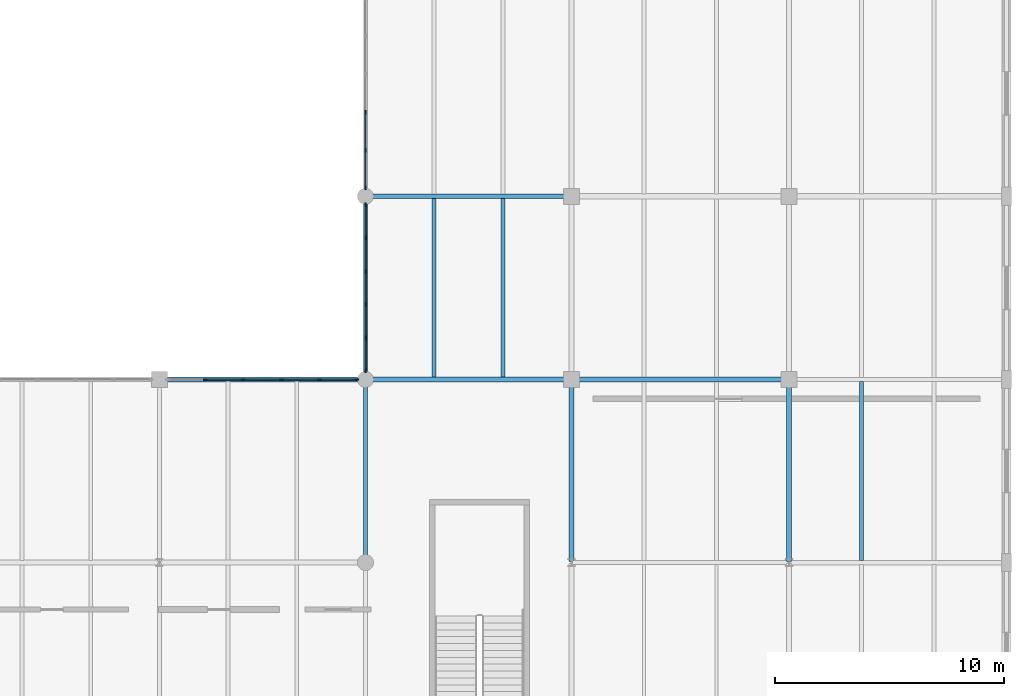
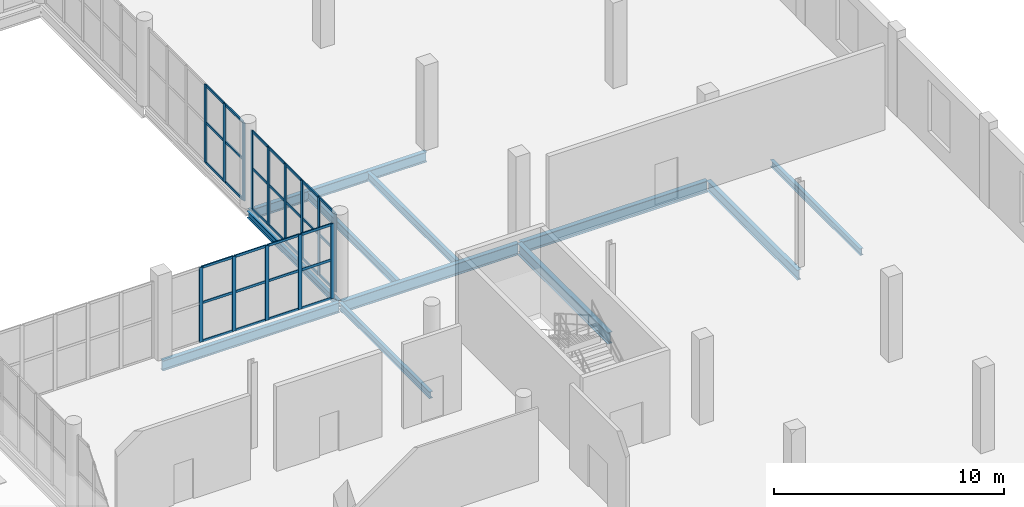
# One storey, part 51 of 93: 47 members, 11 beams, 3 elements without a shape of their own.
"""IFC4 building model written with IfcOpenShell, lengths in metres."""

from ifc_helpers import new_model, si_unit, direction, frame, origin, origin_2d, place, context, subcontext, project, spatial, rectangle, i_section, extrude, material, layer, layer_set, material_profile, profile_set, type_object, element, aggregate, save


model = new_model("IFC4")

# Units and contexts
model_context = context("Model", 3, precision=1e-05, world=origin(), true_north=direction((0.0, 1.0)))
body_context = subcontext(model_context, "Body", "Model", "MODEL_VIEW")
ifc_project = project(units=[si_unit("LENGTHUNIT", "METRE"), si_unit("AREAUNIT", "SQUARE_METRE"), si_unit("VOLUMEUNIT", "CUBIC_METRE"), si_unit("PLANEANGLEUNIT", "RADIAN"), si_unit("MASSUNIT", "GRAM", prefix="KILO")], contexts=[model_context])

# Site, building, storey
site_placement = place(None, origin())
site = spatial("IfcSite", under=ifc_project, at=site_placement, CompositionType="ELEMENT")
building_placement = place(site_placement, origin())
building = spatial("IfcBuilding", under=site, at=building_placement, Name="Marnock Terrace Opera House", CompositionType="ELEMENT")
storey_placement = place(building_placement, frame((0.0, 0.0, 5.39990234375)))
storey = spatial("IfcBuildingStorey", under=building, at=storey_placement, Name="L01", CompositionType="ELEMENT", Elevation=5.39990234375)

# Beams
ifc_material_1 = material(Name="Steel Grade 350 (AS/NZS 3679.1)", Category="steel")
ifc_material_profile_1 = material_profile(ifc_material_1, i_section(OverallWidth=0.1708984375, OverallDepth=0.355712890625, WebThickness=0.00732421875, FlangeThickness=0.011474609375, FilletRadius=0.011474609375, at=origin_2d()))
ifc_profile_set_1 = profile_set([ifc_material_profile_1], Name="Steel Grade 350 (AS/NZS 3679.1)")
beam_type_1 = type_object("IfcBeamType", Name="BM-GIRD-360", PredefinedType="BEAM", material=ifc_profile_set_1)
for number, where, z_axis, x_axis, name in (
    (1, (136.0, 32.050048828125, -0.457763671875), (0.0, 1.0, 0.0), (-1.0, 0.0, 0.0), "L01 girder (X=136.0, 32.0..40.0)"),
    (2, (136.0, 40.050048828125, -0.457763671875), (0.0, 1.0, 0.0), (-1.0, 0.0, 0.0), "L01 girder (X=136.0, 40.0..48.0)"),
):
    element("IfcBeam", number, at=place(storey_placement, frame(where, z_axis=z_axis, x_axis=x_axis)), inside=storey, type_object=beam_type_1, Name=name, PredefinedType="BEAM", context=body_context, shape_type="SweptSolid", body=[
        extrude(i_section(OverallWidth=0.1708984375, OverallDepth=0.355712890625, WebThickness=0.00732421875, FlangeThickness=0.011474609375, FilletRadius=0.011474609375, at=origin_2d()), origin(), (0.0, 0.0, 1.0), 7.89990234375),
    ])
ifc_material_profile_2 = material_profile(ifc_material_1, i_section(OverallWidth=0.208984375, OverallDepth=0.532958984375, WebThickness=0.01025390625, FlangeThickness=0.015625, FilletRadius=0.013916015625, at=origin_2d()))
ifc_profile_set_2 = profile_set([ifc_material_profile_2], Name="Steel Grade 350 (AS/NZS 3679.1)")
beam_type_2 = type_object("IfcBeamType", Name="BM-GIRD-530A", PredefinedType="BEAM", material=ifc_profile_set_2)
for number, where, z_axis, x_axis, name in (
    (3, (127.050048828125, 40.0, -0.54638671875), (1.0, 0.0, 0.0), (0.0, 1.0, 0.0), "L01 girder (127.0..136.0, Y=40.0)"),
    (4, (136.050048828125, 48.0, -0.54638671875), (1.0, 0.0, 0.0), (0.0, 1.0, 0.0), "L01 girder (136.0..145.0, Y=48.0)"),
):
    element("IfcBeam", number, at=place(storey_placement, frame(where, z_axis=z_axis, x_axis=x_axis)), inside=storey, type_object=beam_type_2, Name=name, PredefinedType="BEAM", context=body_context, shape_type="SweptSolid", body=[
        extrude(i_section(OverallWidth=0.208984375, OverallDepth=0.532958984375, WebThickness=0.01025390625, FlangeThickness=0.015625, FilletRadius=0.013916015625, at=origin_2d()), origin(), (0.0, 0.0, 1.0), 8.89990234375),
    ])
ifc_material_profile_3 = material_profile(ifc_material_1, i_section(OverallWidth=0.208984375, OverallDepth=0.528076171875, WebThickness=0.009521484375, FlangeThickness=0.01318359375, FilletRadius=0.013916015625, at=origin_2d()))
ifc_profile_set_3 = profile_set([ifc_material_profile_3], Name="Steel Grade 350 (AS/NZS 3679.1)")
beam_type_3 = type_object("IfcBeamType", Name="BM-GIRD-530B", PredefinedType="BEAM", material=ifc_profile_set_3)
beam_1_placement = place(storey_placement, frame((154.5, 32.050048828125, -0.5439453125), z_axis=(0.0, 1.0, 0.0), x_axis=(-1.0, 0.0, 0.0)))
element("IfcBeam", 5, at=beam_1_placement, inside=storey, type_object=beam_type_3, Name="L01 girder (X=154.5, 32.0..40.0)", PredefinedType="BEAM", context=body_context, shape_type="SweptSolid", body=[
    extrude(i_section(OverallWidth=0.208984375, OverallDepth=0.528076171875, WebThickness=0.009521484375, FlangeThickness=0.01318359375, FilletRadius=0.013916015625, at=origin_2d()), origin(), (0.0, 0.0, 1.0), 7.89990234375),
])
ifc_material_profile_4 = material_profile(ifc_material_1, i_section(OverallWidth=0.22900390625, OverallDepth=0.611572265625, WebThickness=0.011962890625, FlangeThickness=0.01953125, FilletRadius=0.013916015625, at=origin_2d()))
ifc_profile_set_4 = profile_set([ifc_material_profile_4], Name="Steel Grade 350 (AS/NZS 3679.1)")
beam_type_4 = type_object("IfcBeamType", Name="BM-GIRD-610A", PredefinedType="BEAM", material=ifc_profile_set_4)
beam_2_placement = place(storey_placement, frame((145.050048828125, 40.0, -0.585693359375), z_axis=(1.0, 0.0, 0.0), x_axis=(0.0, 1.0, 0.0)))
element("IfcBeam", 6, at=beam_2_placement, inside=storey, type_object=beam_type_4, Name="L01 girder (145.0..154.5, Y=40.0)", PredefinedType="BEAM", context=body_context, shape_type="SweptSolid", body=[
    extrude(i_section(OverallWidth=0.22900390625, OverallDepth=0.611572265625, WebThickness=0.011962890625, FlangeThickness=0.01953125, FilletRadius=0.013916015625, at=origin_2d()), origin(), (0.0, 0.0, 1.0), 9.39990234375),
])
ifc_material_profile_5 = material_profile(ifc_material_1, i_section(OverallWidth=0.22802734375, OverallDepth=0.60693359375, WebThickness=0.01123046875, FlangeThickness=0.017333984375, FilletRadius=0.013916015625, at=origin_2d()))
ifc_profile_set_5 = profile_set([ifc_material_profile_5], Name="Steel Grade 350 (AS/NZS 3679.1)")
beam_type_5 = type_object("IfcBeamType", Name="BM-GIRD-610B", PredefinedType="BEAM", material=ifc_profile_set_5)
beam_3_placement = place(storey_placement, frame((136.050048828125, 40.0, -0.58349609375), z_axis=(1.0, 0.0, 0.0), x_axis=(0.0, 1.0, 0.0)))
element("IfcBeam", 7, at=beam_3_placement, inside=storey, type_object=beam_type_5, Name="L01 girder (136.0..145.0, Y=40.0)", PredefinedType="BEAM", context=body_context, shape_type="SweptSolid", body=[
    extrude(i_section(OverallWidth=0.22802734375, OverallDepth=0.60693359375, WebThickness=0.01123046875, FlangeThickness=0.017333984375, FilletRadius=0.013916015625, at=origin_2d()), origin(), (0.0, 0.0, 1.0), 8.89990234375),
])
ifc_material_profile_6 = material_profile(ifc_material_1, i_section(OverallWidth=0.22802734375, OverallDepth=0.60205078125, WebThickness=0.010498046875, FlangeThickness=0.014892578125, FilletRadius=0.013916015625, at=origin_2d()))
ifc_profile_set_6 = profile_set([ifc_material_profile_6], Name="Steel Grade 350 (AS/NZS 3679.1)")
beam_type_6 = type_object("IfcBeamType", Name="BM-GIRD-610C", PredefinedType="BEAM", material=ifc_profile_set_6)
beam_4_placement = place(storey_placement, frame((145.0, 32.050048828125, -0.580810546875), z_axis=(0.0, 1.0, 0.0), x_axis=(-1.0, 0.0, 0.0)))
element("IfcBeam", 8, at=beam_4_placement, inside=storey, type_object=beam_type_6, Name="L01 girder (X=145.0, 32.0..40.0)", PredefinedType="BEAM", context=body_context, shape_type="SweptSolid", body=[
    extrude(i_section(OverallWidth=0.22802734375, OverallDepth=0.60205078125, WebThickness=0.010498046875, FlangeThickness=0.014892578125, FilletRadius=0.013916015625, at=origin_2d()), origin(), (0.0, 0.0, 1.0), 7.89990234375),
])
ifc_material_profile_7 = material_profile(ifc_material_1, i_section(OverallWidth=0.172119140625, OverallDepth=0.358642578125, WebThickness=0.008056640625, FlangeThickness=0.012939453125, FilletRadius=0.011474609375, at=origin_2d()))
ifc_profile_set_7 = profile_set([ifc_material_profile_7], Name="Steel Grade 350 (AS/NZS 3679.1)")
beam_type_7 = type_object("IfcBeamType", Name="BM-JOIST-360", PredefinedType="JOIST", material=ifc_profile_set_7)
beam_5_placement = place(storey_placement, frame((157.666748046875, 32.090576171875, -0.459228515625), z_axis=(0.0, 1.0, 0.0), x_axis=(-1.0, 0.0, 0.0)))
element("IfcBeam", 9, at=beam_5_placement, inside=storey, type_object=beam_type_7, Name="L01 secondary joist 17.4.1", PredefinedType="JOIST", context=body_context, shape_type="SweptSolid", body=[
    extrude(i_section(OverallWidth=0.172119140625, OverallDepth=0.358642578125, WebThickness=0.008056640625, FlangeThickness=0.012939453125, FilletRadius=0.011474609375, at=origin_2d()), origin(), (0.0, 0.0, 1.0), 7.825439453125),
])
ifc_material_profile_8 = material_profile(ifc_material_1, i_section(OverallWidth=0.177978515625, OverallDepth=0.406494140625, WebThickness=0.0078125, FlangeThickness=0.0126953125, FilletRadius=0.011474609375, at=origin_2d()))
ifc_profile_set_8 = profile_set([ifc_material_profile_8], Name="Steel Grade 350 (AS/NZS 3679.1)")
beam_type_8 = type_object("IfcBeamType", Name="BM-JOIST-410", PredefinedType="JOIST", material=ifc_profile_set_8)
for number, where, z_axis, x_axis, name in (
    (10, (139.0, 40.10888671875, -0.483154296875), (0.0, 1.0, 0.0), (-1.0, 0.0, 0.0), "L01 secondary joist 15.5.1"),
    (11, (142.0, 40.10888671875, -0.483154296875), (0.0, 1.0, 0.0), (-1.0, 0.0, 0.0), "L01 secondary joist 15.5.2"),
):
    element("IfcBeam", number, at=place(storey_placement, frame(where, z_axis=z_axis, x_axis=x_axis)), inside=storey, type_object=beam_type_8, Name=name, PredefinedType="JOIST", context=body_context, shape_type="SweptSolid", body=[
        extrude(i_section(OverallWidth=0.177978515625, OverallDepth=0.406494140625, WebThickness=0.0078125, FlangeThickness=0.0126953125, FilletRadius=0.011474609375, at=origin_2d()), origin(), (0.0, 0.0, 1.0), 7.79150390625),
    ])

# Curtain wall, members
ifc_material_2 = material(Name="Anodised architectural bronze aluminium framing", Category="aluminium")
ifc_layer = layer(ifc_material_2, 0.159912109375)
ifc_layer_set = layer_set([ifc_layer], Name="Anodised architectural bronze aluminium framing")
curtain_wall_type = type_object("IfcCurtainWallType", Name="CW-LOGGIA-86x45", PredefinedType="NOTDEFINED", material=ifc_layer_set)
curtain_wall_1_placement = place(storey_placement, origin())
curtain_wall_1 = element("IfcCurtainWall", 12, at=curtain_wall_1_placement, inside=storey, type_object=curtain_wall_type, Name="L01 glazed Beaux-Arts colonnade curtain wall CW-V5-L01-CS2", PredefinedType="NOTDEFINED")
ifc_material_profile_9 = material_profile(ifc_material_2, rectangle(XDim=0.06494140625, YDim=0.179931640625, at=origin_2d()))
ifc_profile_set_9 = profile_set([ifc_material_profile_9], Name="Anodised architectural bronze aluminium framing")
member_type_1 = type_object("IfcMemberType", Name="CWM-65x180", PredefinedType="MULLION", material=ifc_profile_set_9)
member_1_placement = place(storey_placement, frame((129.007568359375, 40.0, 0.0), z_axis=(0.0, 0.0, 1.0), x_axis=(0.0, 1.0, 0.0)))
member_1 = element("IfcMember", 13, at=member_1_placement, type_object=member_type_1, Name="CW-61 mullion 2", PredefinedType="MULLION", context=body_context, shape_type="SweptSolid", body=[
    extrude(rectangle(XDim=0.06494140625, YDim=0.179931640625, at=origin_2d()), origin(), (0.0, 0.0, 1.0), 3.97705078125),
])
member_2_placement = place(storey_placement, frame((130.669189453125, 40.0, 0.0), z_axis=(0.0, 0.0, 1.0), x_axis=(0.0, 1.0, 0.0)))
member_2 = element("IfcMember", 14, at=member_2_placement, type_object=member_type_1, Name="CW-61 mullion 3", PredefinedType="MULLION", context=body_context, shape_type="SweptSolid", body=[
    extrude(rectangle(XDim=0.06494140625, YDim=0.179931640625, at=origin_2d()), origin(), (0.0, 0.0, 1.0), 3.97705078125),
])
member_3_placement = place(storey_placement, frame((132.330810546875, 40.0, 0.0), z_axis=(0.0, 0.0, 1.0), x_axis=(0.0, 1.0, 0.0)))
member_3 = element("IfcMember", 15, at=member_3_placement, type_object=member_type_1, Name="CW-61 mullion 4", PredefinedType="MULLION", context=body_context, shape_type="SweptSolid", body=[
    extrude(rectangle(XDim=0.06494140625, YDim=0.179931640625, at=origin_2d()), origin(), (0.0, 0.0, 1.0), 3.97705078125),
])
member_4_placement = place(storey_placement, frame((133.992431640625, 40.0, 0.0), z_axis=(0.0, 0.0, 1.0), x_axis=(0.0, 1.0, 0.0)))
member_4 = element("IfcMember", 16, at=member_4_placement, type_object=member_type_1, Name="CW-61 mullion 5", PredefinedType="MULLION", context=body_context, shape_type="SweptSolid", body=[
    extrude(rectangle(XDim=0.06494140625, YDim=0.179931640625, at=origin_2d()), origin(), (0.0, 0.0, 1.0), 3.97705078125),
])
member_5_placement = place(storey_placement, frame((135.6240234375, 40.0, 0.0), z_axis=(0.0, 0.0, 1.0), x_axis=(0.0, 1.0, 0.0)))
member_5 = element("IfcMember", 17, at=member_5_placement, type_object=member_type_1, Name="CW-61 mullion 6", PredefinedType="MULLION", context=body_context, shape_type="SweptSolid", body=[
    extrude(rectangle(XDim=0.06494140625, YDim=0.179931640625, at=origin_2d()), origin(), (0.0, 0.0, 1.0), 3.97705078125),
])

curtain_wall_2_placement = place(storey_placement, origin())
curtain_wall_2 = element("IfcCurtainWall", 18, at=curtain_wall_2_placement, inside=storey, type_object=curtain_wall_type, Name="L01 glazed Beaux-Arts colonnade curtain wall CW-V5-L01-CE1", PredefinedType="NOTDEFINED")
member_6_placement = place(storey_placement, frame((136.0, 40.3759765625, 0.0), z_axis=(0.0, 0.0, 1.0), x_axis=(-1.0, 0.0, 0.0)))
member_6 = element("IfcMember", 19, at=member_6_placement, type_object=member_type_1, Name="CW-61 mullion 1", PredefinedType="MULLION", context=body_context, shape_type="SweptSolid", body=[
    extrude(rectangle(XDim=0.06494140625, YDim=0.179931640625, at=origin_2d()), origin(), (0.0, 0.0, 1.0), 4.154541015625),
])
member_7_placement = place(storey_placement, frame((136.0, 41.8076171875, 0.0), z_axis=(0.0, 0.0, 1.0), x_axis=(-1.0, 0.0, 0.0)))
member_7 = element("IfcMember", 20, at=member_7_placement, type_object=member_type_1, Name="CW-61 mullion 2", PredefinedType="MULLION", context=body_context, shape_type="SweptSolid", body=[
    extrude(rectangle(XDim=0.06494140625, YDim=0.179931640625, at=origin_2d()), origin(), (0.0, 0.0, 1.0), 4.154541015625),
])
member_8_placement = place(storey_placement, frame((136.0, 43.269287109375, 0.0), z_axis=(0.0, 0.0, 1.0), x_axis=(-1.0, 0.0, 0.0)))
member_8 = element("IfcMember", 21, at=member_8_placement, type_object=member_type_1, Name="CW-61 mullion 3", PredefinedType="MULLION", context=body_context, shape_type="SweptSolid", body=[
    extrude(rectangle(XDim=0.06494140625, YDim=0.179931640625, at=origin_2d()), origin(), (0.0, 0.0, 1.0), 4.154541015625),
])
member_9_placement = place(storey_placement, frame((136.0, 44.730712890625, 0.0), z_axis=(0.0, 0.0, 1.0), x_axis=(-1.0, 0.0, 0.0)))
member_9 = element("IfcMember", 22, at=member_9_placement, type_object=member_type_1, Name="CW-61 mullion 4", PredefinedType="MULLION", context=body_context, shape_type="SweptSolid", body=[
    extrude(rectangle(XDim=0.06494140625, YDim=0.179931640625, at=origin_2d()), origin(), (0.0, 0.0, 1.0), 4.154541015625),
])
member_10_placement = place(storey_placement, frame((136.0, 46.1923828125, 0.0), z_axis=(0.0, 0.0, 1.0), x_axis=(-1.0, 0.0, 0.0)))
member_10 = element("IfcMember", 23, at=member_10_placement, type_object=member_type_1, Name="CW-61 mullion 5", PredefinedType="MULLION", context=body_context, shape_type="SweptSolid", body=[
    extrude(rectangle(XDim=0.06494140625, YDim=0.179931640625, at=origin_2d()), origin(), (0.0, 0.0, 1.0), 4.154541015625),
])
member_11_placement = place(storey_placement, frame((136.0, 47.6240234375, 0.0), z_axis=(0.0, 0.0, 1.0), x_axis=(-1.0, 0.0, 0.0)))
member_11 = element("IfcMember", 24, at=member_11_placement, type_object=member_type_1, Name="CW-61 mullion 6", PredefinedType="MULLION", context=body_context, shape_type="SweptSolid", body=[
    extrude(rectangle(XDim=0.06494140625, YDim=0.179931640625, at=origin_2d()), origin(), (0.0, 0.0, 1.0), 4.154541015625),
])

curtain_wall_3_placement = place(storey_placement, origin())
curtain_wall_3 = element("IfcCurtainWall", 25, at=curtain_wall_3_placement, inside=storey, type_object=curtain_wall_type, Name="L01 glazed Beaux-Arts colonnade curtain wall CW-V5-L01-CE2", PredefinedType="NOTDEFINED")
member_12_placement = place(storey_placement, frame((136.0, 48.3759765625, 0.0), z_axis=(0.0, 0.0, 1.0), x_axis=(-1.0, 0.0, 0.0)))
member_12 = element("IfcMember", 26, at=member_12_placement, type_object=member_type_1, Name="CW-61 mullion 1", PredefinedType="MULLION", context=body_context, shape_type="SweptSolid", body=[
    extrude(rectangle(XDim=0.06494140625, YDim=0.179931640625, at=origin_2d()), origin(), (0.0, 0.0, 1.0), 4.154541015625),
])
member_13_placement = place(storey_placement, frame((136.0, 50.007568359375, 0.0), z_axis=(0.0, 0.0, 1.0), x_axis=(-1.0, 0.0, 0.0)))
member_13 = element("IfcMember", 27, at=member_13_placement, type_object=member_type_1, Name="CW-61 mullion 2", PredefinedType="MULLION", context=body_context, shape_type="SweptSolid", body=[
    extrude(rectangle(XDim=0.06494140625, YDim=0.179931640625, at=origin_2d()), origin(), (0.0, 0.0, 1.0), 4.154541015625),
])
member_14_placement = place(storey_placement, frame((136.0, 51.669189453125, 0.0), z_axis=(0.0, 0.0, 1.0), x_axis=(-1.0, 0.0, 0.0)))
member_14 = element("IfcMember", 28, at=member_14_placement, type_object=member_type_1, Name="CW-61 mullion 3", PredefinedType="MULLION", context=body_context, shape_type="SweptSolid", body=[
    extrude(rectangle(XDim=0.06494140625, YDim=0.179931640625, at=origin_2d()), origin(), (0.0, 0.0, 1.0), 4.154541015625),
])

# Member
ifc_material_profile_10 = material_profile(ifc_material_2, rectangle(XDim=0.06005859375, YDim=0.1298828125, at=origin_2d()))
ifc_profile_set_10 = profile_set([ifc_material_profile_10], Name="Anodised architectural bronze aluminium framing")
member_type_2 = type_object("IfcMemberType", Name="CWT-60x130", PredefinedType="USERDEFINED", material=ifc_profile_set_10)
member_15_placement = place(storey_placement, frame((129.03759765625, 40.0, 0.030029296875), z_axis=(1.0, 0.0, 0.0), x_axis=(0.0, 1.0, 0.0)))
member_15 = element("IfcMember", 29, at=member_15_placement, type_object=member_type_2, Name="CW-61 transom 2.1", ObjectType="TRANSOM", PredefinedType="USERDEFINED", context=body_context, shape_type="SweptSolid", body=[
    extrude(rectangle(XDim=0.06005859375, YDim=0.1298828125, at=origin_2d()), origin(), (0.0, 0.0, 1.0), 1.6015625),
])

member_16_placement = place(storey_placement, frame((129.03759765625, 40.0, 2.068115234375), z_axis=(1.0, 0.0, 0.0), x_axis=(0.0, 1.0, 0.0)))
member_16 = element("IfcMember", 30, at=member_16_placement, type_object=member_type_2, Name="CW-61 transom 2.2", ObjectType="TRANSOM", PredefinedType="USERDEFINED", context=body_context, shape_type="SweptSolid", body=[
    extrude(rectangle(XDim=0.06005859375, YDim=0.1298828125, at=origin_2d()), origin(), (0.0, 0.0, 1.0), 1.6015625),
])

member_17_placement = place(storey_placement, frame((129.03759765625, 40.0, 3.947021484375), z_axis=(1.0, 0.0, 0.0), x_axis=(0.0, 1.0, 0.0)))
member_17 = element("IfcMember", 31, at=member_17_placement, type_object=member_type_2, Name="CW-61 transom 2.3", ObjectType="TRANSOM", PredefinedType="USERDEFINED", context=body_context, shape_type="SweptSolid", body=[
    extrude(rectangle(XDim=0.06005859375, YDim=0.1298828125, at=origin_2d()), origin(), (0.0, 0.0, 1.0), 1.6015625),
])

member_18_placement = place(storey_placement, frame((130.69921875, 40.0, 0.030029296875), z_axis=(1.0, 0.0, 0.0), x_axis=(0.0, 1.0, 0.0)))
member_18 = element("IfcMember", 32, at=member_18_placement, type_object=member_type_2, Name="CW-61 transom 3.1", ObjectType="TRANSOM", PredefinedType="USERDEFINED", context=body_context, shape_type="SweptSolid", body=[
    extrude(rectangle(XDim=0.06005859375, YDim=0.1298828125, at=origin_2d()), origin(), (0.0, 0.0, 1.0), 1.6015625),
])

member_19_placement = place(storey_placement, frame((130.69921875, 40.0, 2.068115234375), z_axis=(1.0, 0.0, 0.0), x_axis=(0.0, 1.0, 0.0)))
member_19 = element("IfcMember", 33, at=member_19_placement, type_object=member_type_2, Name="CW-61 transom 3.2", ObjectType="TRANSOM", PredefinedType="USERDEFINED", context=body_context, shape_type="SweptSolid", body=[
    extrude(rectangle(XDim=0.06005859375, YDim=0.1298828125, at=origin_2d()), origin(), (0.0, 0.0, 1.0), 1.6015625),
])

member_20_placement = place(storey_placement, frame((130.69921875, 40.0, 3.947021484375), z_axis=(1.0, 0.0, 0.0), x_axis=(0.0, 1.0, 0.0)))
member_20 = element("IfcMember", 34, at=member_20_placement, type_object=member_type_2, Name="CW-61 transom 3.3", ObjectType="TRANSOM", PredefinedType="USERDEFINED", context=body_context, shape_type="SweptSolid", body=[
    extrude(rectangle(XDim=0.06005859375, YDim=0.1298828125, at=origin_2d()), origin(), (0.0, 0.0, 1.0), 1.6015625),
])

member_21_placement = place(storey_placement, frame((132.36083984375, 40.0, 0.030029296875), z_axis=(1.0, 0.0, 0.0), x_axis=(0.0, 1.0, 0.0)))
member_21 = element("IfcMember", 35, at=member_21_placement, type_object=member_type_2, Name="CW-61 transom 4.1", ObjectType="TRANSOM", PredefinedType="USERDEFINED", context=body_context, shape_type="SweptSolid", body=[
    extrude(rectangle(XDim=0.06005859375, YDim=0.1298828125, at=origin_2d()), origin(), (0.0, 0.0, 1.0), 1.6015625),
])

member_22_placement = place(storey_placement, frame((132.36083984375, 40.0, 2.068115234375), z_axis=(1.0, 0.0, 0.0), x_axis=(0.0, 1.0, 0.0)))
member_22 = element("IfcMember", 36, at=member_22_placement, type_object=member_type_2, Name="CW-61 transom 4.2", ObjectType="TRANSOM", PredefinedType="USERDEFINED", context=body_context, shape_type="SweptSolid", body=[
    extrude(rectangle(XDim=0.06005859375, YDim=0.1298828125, at=origin_2d()), origin(), (0.0, 0.0, 1.0), 1.6015625),
])

member_23_placement = place(storey_placement, frame((132.36083984375, 40.0, 3.947021484375), z_axis=(1.0, 0.0, 0.0), x_axis=(0.0, 1.0, 0.0)))
member_23 = element("IfcMember", 37, at=member_23_placement, type_object=member_type_2, Name="CW-61 transom 4.3", ObjectType="TRANSOM", PredefinedType="USERDEFINED", context=body_context, shape_type="SweptSolid", body=[
    extrude(rectangle(XDim=0.06005859375, YDim=0.1298828125, at=origin_2d()), origin(), (0.0, 0.0, 1.0), 1.6015625),
])

member_24_placement = place(storey_placement, frame((134.0224609375, 40.0, 0.030029296875), z_axis=(1.0, 0.0, 0.0), x_axis=(0.0, 1.0, 0.0)))
member_24 = element("IfcMember", 38, at=member_24_placement, type_object=member_type_2, Name="CW-61 transom 5.1", ObjectType="TRANSOM", PredefinedType="USERDEFINED", context=body_context, shape_type="SweptSolid", body=[
    extrude(rectangle(XDim=0.06005859375, YDim=0.1298828125, at=origin_2d()), origin(), (0.0, 0.0, 1.0), 1.571533203125),
])

member_25_placement = place(storey_placement, frame((134.0224609375, 40.0, 2.068115234375), z_axis=(1.0, 0.0, 0.0), x_axis=(0.0, 1.0, 0.0)))
member_25 = element("IfcMember", 39, at=member_25_placement, type_object=member_type_2, Name="CW-61 transom 5.2", ObjectType="TRANSOM", PredefinedType="USERDEFINED", context=body_context, shape_type="SweptSolid", body=[
    extrude(rectangle(XDim=0.06005859375, YDim=0.1298828125, at=origin_2d()), origin(), (0.0, 0.0, 1.0), 1.571533203125),
])

member_26_placement = place(storey_placement, frame((134.0224609375, 40.0, 3.947021484375), z_axis=(1.0, 0.0, 0.0), x_axis=(0.0, 1.0, 0.0)))
member_26 = element("IfcMember", 40, at=member_26_placement, type_object=member_type_2, Name="CW-61 transom 5.3", ObjectType="TRANSOM", PredefinedType="USERDEFINED", context=body_context, shape_type="SweptSolid", body=[
    extrude(rectangle(XDim=0.06005859375, YDim=0.1298828125, at=origin_2d()), origin(), (0.0, 0.0, 1.0), 1.571533203125),
])

aggregate(curtain_wall_1, [member_1, member_2, member_3, member_4, member_5, member_15, member_16, member_17, member_18, member_19, member_20, member_21, member_22, member_23, member_24, member_25, member_26])

member_27_placement = place(storey_placement, frame((136.0, 40.406005859375, 0.030029296875), z_axis=(0.0, 1.0, 0.0), x_axis=(-1.0, 0.0, 0.0)))
member_27 = element("IfcMember", 41, at=member_27_placement, type_object=member_type_2, Name="CW-61 transom 1.1", ObjectType="TRANSOM", PredefinedType="USERDEFINED", context=body_context, shape_type="SweptSolid", body=[
    extrude(rectangle(XDim=0.06005859375, YDim=0.1298828125, at=origin_2d()), origin(), (0.0, 0.0, 1.0), 1.37158203125),
])

member_28_placement = place(storey_placement, frame((136.0, 40.406005859375, 2.160400390625), z_axis=(0.0, 1.0, 0.0), x_axis=(-1.0, 0.0, 0.0)))
member_28 = element("IfcMember", 42, at=member_28_placement, type_object=member_type_2, Name="CW-61 transom 1.2", ObjectType="TRANSOM", PredefinedType="USERDEFINED", context=body_context, shape_type="SweptSolid", body=[
    extrude(rectangle(XDim=0.06005859375, YDim=0.1298828125, at=origin_2d()), origin(), (0.0, 0.0, 1.0), 1.37158203125),
])

member_29_placement = place(storey_placement, frame((136.0, 40.406005859375, 4.12451171875), z_axis=(0.0, 1.0, 0.0), x_axis=(-1.0, 0.0, 0.0)))
member_29 = element("IfcMember", 43, at=member_29_placement, type_object=member_type_2, Name="CW-61 transom 1.3", ObjectType="TRANSOM", PredefinedType="USERDEFINED", context=body_context, shape_type="SweptSolid", body=[
    extrude(rectangle(XDim=0.06005859375, YDim=0.1298828125, at=origin_2d()), origin(), (0.0, 0.0, 1.0), 1.37158203125),
])

member_30_placement = place(storey_placement, frame((136.0, 41.837646484375, 0.030029296875), z_axis=(0.0, 1.0, 0.0), x_axis=(-1.0, 0.0, 0.0)))
member_30 = element("IfcMember", 44, at=member_30_placement, type_object=member_type_2, Name="CW-61 transom 2.1", ObjectType="TRANSOM", PredefinedType="USERDEFINED", context=body_context, shape_type="SweptSolid", body=[
    extrude(rectangle(XDim=0.06005859375, YDim=0.1298828125, at=origin_2d()), origin(), (0.0, 0.0, 1.0), 1.401611328125),
])

member_31_placement = place(storey_placement, frame((136.0, 41.837646484375, 2.160400390625), z_axis=(0.0, 1.0, 0.0), x_axis=(-1.0, 0.0, 0.0)))
member_31 = element("IfcMember", 45, at=member_31_placement, type_object=member_type_2, Name="CW-61 transom 2.2", ObjectType="TRANSOM", PredefinedType="USERDEFINED", context=body_context, shape_type="SweptSolid", body=[
    extrude(rectangle(XDim=0.06005859375, YDim=0.1298828125, at=origin_2d()), origin(), (0.0, 0.0, 1.0), 1.401611328125),
])

member_32_placement = place(storey_placement, frame((136.0, 41.837646484375, 4.12451171875), z_axis=(0.0, 1.0, 0.0), x_axis=(-1.0, 0.0, 0.0)))
member_32 = element("IfcMember", 46, at=member_32_placement, type_object=member_type_2, Name="CW-61 transom 2.3", ObjectType="TRANSOM", PredefinedType="USERDEFINED", context=body_context, shape_type="SweptSolid", body=[
    extrude(rectangle(XDim=0.06005859375, YDim=0.1298828125, at=origin_2d()), origin(), (0.0, 0.0, 1.0), 1.401611328125),
])

member_33_placement = place(storey_placement, frame((136.0, 43.29931640625, 0.030029296875), z_axis=(0.0, 1.0, 0.0), x_axis=(-1.0, 0.0, 0.0)))
member_33 = element("IfcMember", 47, at=member_33_placement, type_object=member_type_2, Name="CW-61 transom 3.1", ObjectType="TRANSOM", PredefinedType="USERDEFINED", context=body_context, shape_type="SweptSolid", body=[
    extrude(rectangle(XDim=0.06005859375, YDim=0.1298828125, at=origin_2d()), origin(), (0.0, 0.0, 1.0), 1.4013671875),
])

member_34_placement = place(storey_placement, frame((136.0, 43.29931640625, 2.160400390625), z_axis=(0.0, 1.0, 0.0), x_axis=(-1.0, 0.0, 0.0)))
member_34 = element("IfcMember", 48, at=member_34_placement, type_object=member_type_2, Name="CW-61 transom 3.2", ObjectType="TRANSOM", PredefinedType="USERDEFINED", context=body_context, shape_type="SweptSolid", body=[
    extrude(rectangle(XDim=0.06005859375, YDim=0.1298828125, at=origin_2d()), origin(), (0.0, 0.0, 1.0), 1.4013671875),
])

member_35_placement = place(storey_placement, frame((136.0, 43.29931640625, 4.12451171875), z_axis=(0.0, 1.0, 0.0), x_axis=(-1.0, 0.0, 0.0)))
member_35 = element("IfcMember", 49, at=member_35_placement, type_object=member_type_2, Name="CW-61 transom 3.3", ObjectType="TRANSOM", PredefinedType="USERDEFINED", context=body_context, shape_type="SweptSolid", body=[
    extrude(rectangle(XDim=0.06005859375, YDim=0.1298828125, at=origin_2d()), origin(), (0.0, 0.0, 1.0), 1.4013671875),
])

member_36_placement = place(storey_placement, frame((136.0, 44.7607421875, 0.030029296875), z_axis=(0.0, 1.0, 0.0), x_axis=(-1.0, 0.0, 0.0)))
member_36 = element("IfcMember", 50, at=member_36_placement, type_object=member_type_2, Name="CW-61 transom 4.1", ObjectType="TRANSOM", PredefinedType="USERDEFINED", context=body_context, shape_type="SweptSolid", body=[
    extrude(rectangle(XDim=0.06005859375, YDim=0.1298828125, at=origin_2d()), origin(), (0.0, 0.0, 1.0), 1.401611328125),
])

member_37_placement = place(storey_placement, frame((136.0, 44.7607421875, 2.160400390625), z_axis=(0.0, 1.0, 0.0), x_axis=(-1.0, 0.0, 0.0)))
member_37 = element("IfcMember", 51, at=member_37_placement, type_object=member_type_2, Name="CW-61 transom 4.2", ObjectType="TRANSOM", PredefinedType="USERDEFINED", context=body_context, shape_type="SweptSolid", body=[
    extrude(rectangle(XDim=0.06005859375, YDim=0.1298828125, at=origin_2d()), origin(), (0.0, 0.0, 1.0), 1.401611328125),
])

member_38_placement = place(storey_placement, frame((136.0, 44.7607421875, 4.12451171875), z_axis=(0.0, 1.0, 0.0), x_axis=(-1.0, 0.0, 0.0)))
member_38 = element("IfcMember", 52, at=member_38_placement, type_object=member_type_2, Name="CW-61 transom 4.3", ObjectType="TRANSOM", PredefinedType="USERDEFINED", context=body_context, shape_type="SweptSolid", body=[
    extrude(rectangle(XDim=0.06005859375, YDim=0.1298828125, at=origin_2d()), origin(), (0.0, 0.0, 1.0), 1.401611328125),
])

member_39_placement = place(storey_placement, frame((136.0, 46.222412109375, 0.030029296875), z_axis=(0.0, 1.0, 0.0), x_axis=(-1.0, 0.0, 0.0)))
member_39 = element("IfcMember", 53, at=member_39_placement, type_object=member_type_2, Name="CW-61 transom 5.1", ObjectType="TRANSOM", PredefinedType="USERDEFINED", context=body_context, shape_type="SweptSolid", body=[
    extrude(rectangle(XDim=0.06005859375, YDim=0.1298828125, at=origin_2d()), origin(), (0.0, 0.0, 1.0), 1.37158203125),
])

member_40_placement = place(storey_placement, frame((136.0, 46.222412109375, 2.160400390625), z_axis=(0.0, 1.0, 0.0), x_axis=(-1.0, 0.0, 0.0)))
member_40 = element("IfcMember", 54, at=member_40_placement, type_object=member_type_2, Name="CW-61 transom 5.2", ObjectType="TRANSOM", PredefinedType="USERDEFINED", context=body_context, shape_type="SweptSolid", body=[
    extrude(rectangle(XDim=0.06005859375, YDim=0.1298828125, at=origin_2d()), origin(), (0.0, 0.0, 1.0), 1.37158203125),
])

member_41_placement = place(storey_placement, frame((136.0, 46.222412109375, 4.12451171875), z_axis=(0.0, 1.0, 0.0), x_axis=(-1.0, 0.0, 0.0)))
member_41 = element("IfcMember", 55, at=member_41_placement, type_object=member_type_2, Name="CW-61 transom 5.3", ObjectType="TRANSOM", PredefinedType="USERDEFINED", context=body_context, shape_type="SweptSolid", body=[
    extrude(rectangle(XDim=0.06005859375, YDim=0.1298828125, at=origin_2d()), origin(), (0.0, 0.0, 1.0), 1.37158203125),
])

aggregate(curtain_wall_2, [member_6, member_7, member_8, member_9, member_10, member_11, member_27, member_28, member_29, member_30, member_31, member_32, member_33, member_34, member_35, member_36, member_37, member_38, member_39, member_40, member_41])

member_42_placement = place(storey_placement, frame((136.0, 48.406005859375, 0.030029296875), z_axis=(0.0, 1.0, 0.0), x_axis=(-1.0, 0.0, 0.0)))
member_42 = element("IfcMember", 56, at=member_42_placement, type_object=member_type_2, Name="CW-61 transom 1.1", ObjectType="TRANSOM", PredefinedType="USERDEFINED", context=body_context, shape_type="SweptSolid", body=[
    extrude(rectangle(XDim=0.06005859375, YDim=0.1298828125, at=origin_2d()), origin(), (0.0, 0.0, 1.0), 1.571533203125),
])

member_43_placement = place(storey_placement, frame((136.0, 48.406005859375, 2.160400390625), z_axis=(0.0, 1.0, 0.0), x_axis=(-1.0, 0.0, 0.0)))
member_43 = element("IfcMember", 57, at=member_43_placement, type_object=member_type_2, Name="CW-61 transom 1.2", ObjectType="TRANSOM", PredefinedType="USERDEFINED", context=body_context, shape_type="SweptSolid", body=[
    extrude(rectangle(XDim=0.06005859375, YDim=0.1298828125, at=origin_2d()), origin(), (0.0, 0.0, 1.0), 1.571533203125),
])

member_44_placement = place(storey_placement, frame((136.0, 48.406005859375, 4.12451171875), z_axis=(0.0, 1.0, 0.0), x_axis=(-1.0, 0.0, 0.0)))
member_44 = element("IfcMember", 58, at=member_44_placement, type_object=member_type_2, Name="CW-61 transom 1.3", ObjectType="TRANSOM", PredefinedType="USERDEFINED", context=body_context, shape_type="SweptSolid", body=[
    extrude(rectangle(XDim=0.06005859375, YDim=0.1298828125, at=origin_2d()), origin(), (0.0, 0.0, 1.0), 1.571533203125),
])

member_45_placement = place(storey_placement, frame((136.0, 50.03759765625, 0.030029296875), z_axis=(0.0, 1.0, 0.0), x_axis=(-1.0, 0.0, 0.0)))
member_45 = element("IfcMember", 59, at=member_45_placement, type_object=member_type_2, Name="CW-61 transom 2.1", ObjectType="TRANSOM", PredefinedType="USERDEFINED", context=body_context, shape_type="SweptSolid", body=[
    extrude(rectangle(XDim=0.06005859375, YDim=0.1298828125, at=origin_2d()), origin(), (0.0, 0.0, 1.0), 1.6015625),
])

member_46_placement = place(storey_placement, frame((136.0, 50.03759765625, 2.160400390625), z_axis=(0.0, 1.0, 0.0), x_axis=(-1.0, 0.0, 0.0)))
member_46 = element("IfcMember", 60, at=member_46_placement, type_object=member_type_2, Name="CW-61 transom 2.2", ObjectType="TRANSOM", PredefinedType="USERDEFINED", context=body_context, shape_type="SweptSolid", body=[
    extrude(rectangle(XDim=0.06005859375, YDim=0.1298828125, at=origin_2d()), origin(), (0.0, 0.0, 1.0), 1.6015625),
])

member_47_placement = place(storey_placement, frame((136.0, 50.03759765625, 4.12451171875), z_axis=(0.0, 1.0, 0.0), x_axis=(-1.0, 0.0, 0.0)))
member_47 = element("IfcMember", 61, at=member_47_placement, type_object=member_type_2, Name="CW-61 transom 2.3", ObjectType="TRANSOM", PredefinedType="USERDEFINED", context=body_context, shape_type="SweptSolid", body=[
    extrude(rectangle(XDim=0.06005859375, YDim=0.1298828125, at=origin_2d()), origin(), (0.0, 0.0, 1.0), 1.6015625),
])

aggregate(curtain_wall_3, [member_12, member_13, member_14, member_42, member_43, member_44, member_45, member_46, member_47])

save(model, "model.ifc")
